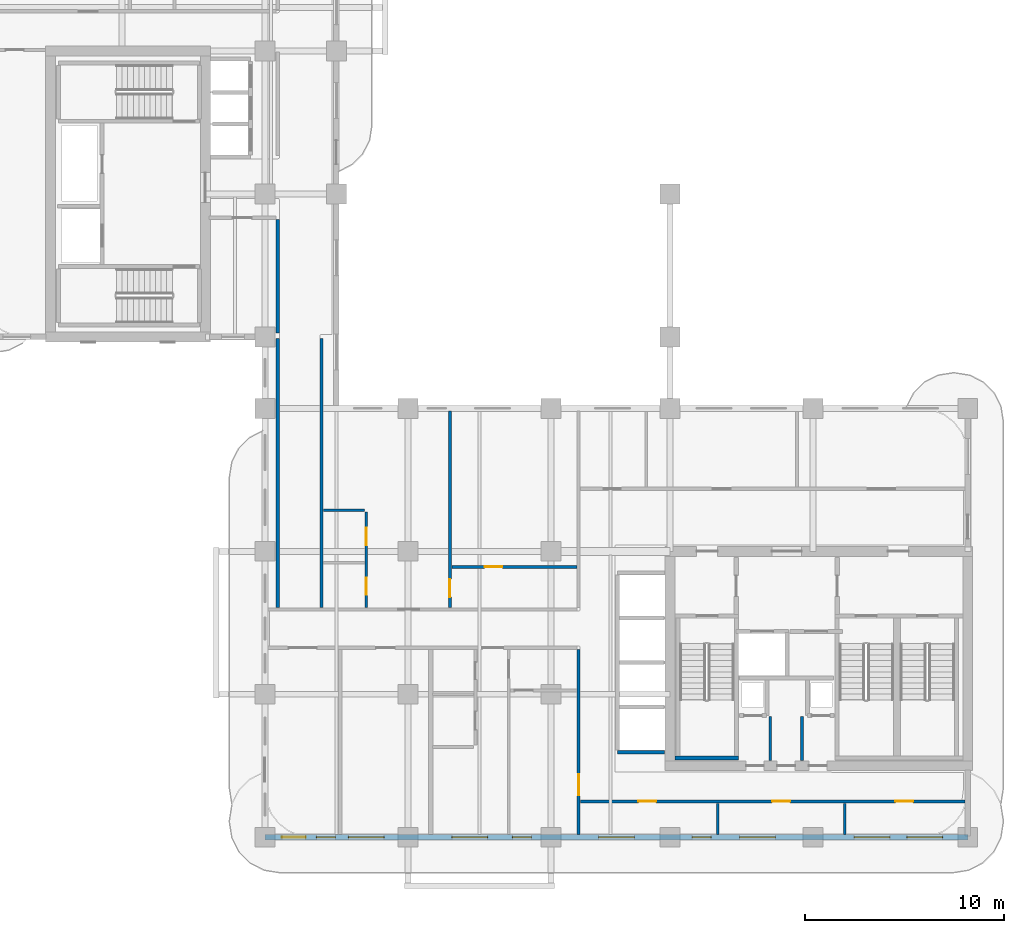
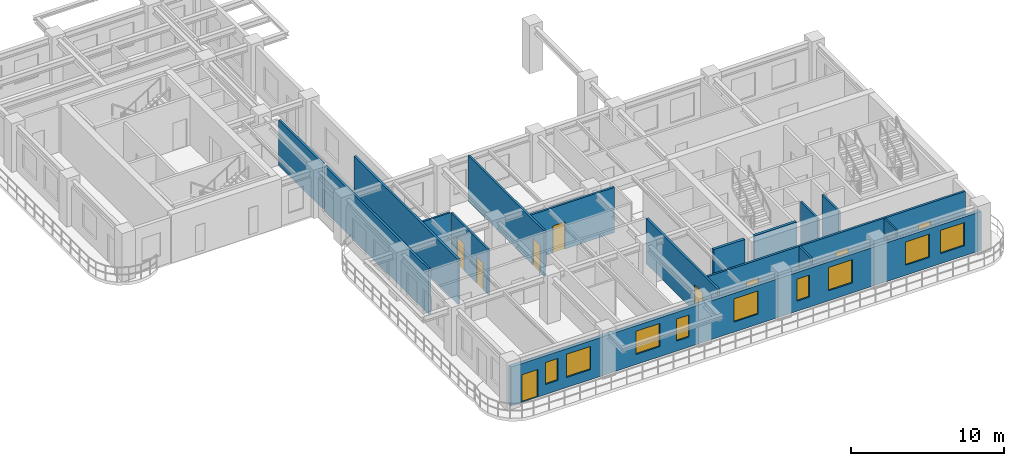
# One storey, part 5 of 14: 16 walls, 9 doors, 9 windows, 18 openings.
"""IFC4 building model written with IfcOpenShell, lengths in metres."""

from ifc_helpers import new_model, si_unit, derived_unit, direction, frame, frame_2d, origin, place, context, subcontext, project, spatial, rectangle, extrude, source, transform, mapped, material, layer, layer_set, type_object, type_shapes, element, fill, save


model = new_model("IFC4")

# Units and contexts
model_context = context("Model", 3, precision=1e-05, world=origin(), true_north=direction((0.0, 1.0)))
body_context = subcontext(model_context, "Body", "Model", "MODEL_VIEW")
ifc_project = project(units=[si_unit("LENGTHUNIT", "METRE"), si_unit("AREAUNIT", "SQUARE_METRE"), si_unit("VOLUMEUNIT", "CUBIC_METRE"), si_unit("PLANEANGLEUNIT", "RADIAN"), si_unit("MASSUNIT", "GRAM", prefix="KILO"), si_unit("THERMODYNAMICTEMPERATUREUNIT", "KELVIN"), si_unit("POWERUNIT", "WATT"), derived_unit("THERMALTRANSMITTANCEUNIT", [(si_unit("POWERUNIT", "WATT"), 1), (si_unit("AREAUNIT", "SQUARE_METRE"), -1), (si_unit("THERMODYNAMICTEMPERATUREUNIT", "KELVIN"), -1)])], contexts=[model_context])

# Site, building, storey
site_placement = place(None, origin())
site = spatial("IfcSite", under=ifc_project, at=site_placement, CompositionType="ELEMENT")
building_placement = place(site_placement, origin())
building = spatial("IfcBuilding", under=site, at=building_placement, Name="Zahravan Archway Hotel and Residences", CompositionType="ELEMENT")
storey_placement = place(building_placement, frame((0.0, 0.0, 188.800048828125)))
storey = spatial("IfcBuildingStorey", under=building, at=storey_placement, Name="L47", CompositionType="ELEMENT", Elevation=188.800048828125)

# Wall, openings, door, windows
ifc_material_1 = material(Name="Honed Red-Ochre Sandstone & Insulated Block", Category="masonry")
ifc_layer_1 = layer(ifc_material_1, 0.280029296875, Name="Honed Red-Ochre Sandstone & Insulated Block", Category="masonry")
ifc_layer_set_1 = layer_set([ifc_layer_1], Name="Honed Red-Ochre Sandstone & Insulated Block")
wall_type_1 = type_object("IfcWallType", Name="EW-LOG-280", PredefinedType="SOLIDWALL", material=ifc_layer_set_1)
wall_1_placement = place(storey_placement, frame((14.39990234375, 0.0, 0.0), z_axis=(0.0, 0.0, 1.0), x_axis=(1.0, 0.0, 0.0)))
wall_1 = element("IfcWall", 1, at=wall_1_placement, inside=storey, type_object=wall_type_1, Name="L47 Exterior Sandstone Wall WA-S", PredefinedType="SOLIDWALL", context=body_context, shape_type="SweptSolid", body=[
    extrude(rectangle(XDim=35.400146484375, YDim=0.280029296875, at=frame_2d((17.7001953125, 0.0))), origin(), (0.0, 0.0, 1.0), 3.0849609375),
])
opening_1_placement = place(wall_1_placement, frame((0.85009765625, 0.0, 0.0)))
opening_1 = element("IfcOpeningElement", 2, at=opening_1_placement, cuts=wall_1, Name="Opening ED-BL1", PredefinedType="OPENING", context=body_context, shape_type="SweptSolid", body=[
    extrude(rectangle(XDim=1.199951171875, YDim=2.199951171875, at=frame_2d((0.60009765625, 1.10009765625))), frame((0.0, 0.14990234375, 0.0), z_axis=(0.0, -1.0, 0.0), x_axis=(1.0, 0.0, 0.0)), (0.0, 0.0, 1.0), 0.300048828125),
])
opening_2_placement = place(wall_1_placement, frame((2.595947265625, 0.0, 0.800048828125)))
opening_2 = element("IfcOpeningElement", 3, at=opening_2_placement, cuts=wall_1, Name="Opening W-04", PredefinedType="OPENING", context=body_context, shape_type="SweptSolid", body=[
    extrude(rectangle(XDim=0.949951171875, YDim=1.75, at=frame_2d((0.47509765625, 0.875))), frame((0.0, 0.14990234375, 0.0), z_axis=(0.0, -1.0, 0.0), x_axis=(1.0, 0.0, 0.0)), (0.0, 0.0, 1.0), 0.300048828125),
])
opening_3_placement = place(wall_1_placement, frame((4.2041015625, 0.0, 0.800048828125)))
opening_3 = element("IfcOpeningElement", 4, at=opening_3_placement, cuts=wall_1, Name="Opening W-02", PredefinedType="OPENING", context=body_context, shape_type="SweptSolid", body=[
    extrude(rectangle(XDim=1.800048828125, YDim=1.85009765625, at=frame_2d((0.89990234375, 0.925048828125))), frame((0.0, 0.14990234375, 0.0), z_axis=(0.0, -1.0, 0.0), x_axis=(1.0, 0.0, 0.0)), (0.0, 0.0, 1.0), 0.300048828125),
])
opening_4_placement = place(wall_1_placement, frame((9.4150390625, 0.0, 0.800048828125)))
opening_4 = element("IfcOpeningElement", 5, at=opening_4_placement, cuts=wall_1, Name="Opening W-02", PredefinedType="OPENING", context=body_context, shape_type="SweptSolid", body=[
    extrude(rectangle(XDim=1.800048828125, YDim=1.85009765625, at=frame_2d((0.89990234375, 0.925048828125))), frame((0.0, 0.14990234375, 0.0), z_axis=(0.0, -1.0, 0.0), x_axis=(1.0, 0.0, 0.0)), (0.0, 0.0, 1.0), 0.300048828125),
])
opening_5_placement = place(wall_1_placement, frame((12.468994140625, 0.0, 0.800048828125)))
opening_5 = element("IfcOpeningElement", 6, at=opening_5_placement, cuts=wall_1, Name="Opening W-04", PredefinedType="OPENING", context=body_context, shape_type="SweptSolid", body=[
    extrude(rectangle(XDim=0.949951171875, YDim=1.75, at=frame_2d((0.47509765625, 0.875))), frame((0.0, 0.14990234375, 0.0), z_axis=(0.0, -1.0, 0.0), x_axis=(1.0, 0.0, 0.0)), (0.0, 0.0, 1.0), 0.300048828125),
])
opening_6_placement = place(wall_1_placement, frame((16.803955078125, 0.0, 0.800048828125)))
opening_6 = element("IfcOpeningElement", 7, at=opening_6_placement, cuts=wall_1, Name="Opening W-02", PredefinedType="OPENING", context=body_context, shape_type="SweptSolid", body=[
    extrude(rectangle(XDim=1.800048828125, YDim=1.85009765625, at=frame_2d((0.89990234375, 0.925048828125))), frame((0.0, 0.14990234375, 0.0), z_axis=(0.0, -1.0, 0.0), x_axis=(1.0, 0.0, 0.0)), (0.0, 0.0, 1.0), 0.300048828125),
])
opening_7_placement = place(wall_1_placement, frame((21.52099609375, 0.0, 0.800048828125)))
opening_7 = element("IfcOpeningElement", 8, at=opening_7_placement, cuts=wall_1, Name="Opening W-04", PredefinedType="OPENING", context=body_context, shape_type="SweptSolid", body=[
    extrude(rectangle(XDim=0.949951171875, YDim=1.75, at=frame_2d((0.47509765625, 0.875))), frame((0.0, 0.14990234375, 0.0), z_axis=(0.0, -1.0, 0.0), x_axis=(1.0, 0.0, 0.0)), (0.0, 0.0, 1.0), 0.300048828125),
])
opening_8_placement = place(wall_1_placement, frame((23.904052734375, 0.0, 0.800048828125)))
opening_8 = element("IfcOpeningElement", 9, at=opening_8_placement, cuts=wall_1, Name="Opening W-02", PredefinedType="OPENING", context=body_context, shape_type="SweptSolid", body=[
    extrude(rectangle(XDim=1.800048828125, YDim=1.85009765625, at=frame_2d((0.89990234375, 0.925048828125))), frame((0.0, 0.14990234375, 0.0), z_axis=(0.0, -1.0, 0.0), x_axis=(1.0, 0.0, 0.0)), (0.0, 0.0, 1.0), 0.300048828125),
])
opening_9_placement = place(wall_1_placement, frame((29.680908203125, 0.0, 0.800048828125)))
opening_9 = element("IfcOpeningElement", 10, at=opening_9_placement, cuts=wall_1, Name="Opening W-02", PredefinedType="OPENING", context=body_context, shape_type="SweptSolid", body=[
    extrude(rectangle(XDim=1.800048828125, YDim=1.85009765625, at=frame_2d((0.89990234375, 0.925048828125))), frame((0.0, 0.14990234375, 0.0), z_axis=(0.0, -1.0, 0.0), x_axis=(1.0, 0.0, 0.0)), (0.0, 0.0, 1.0), 0.300048828125),
])
opening_10_placement = place(wall_1_placement, frame((32.326904296875, 0.0, 0.800048828125)))
opening_10 = element("IfcOpeningElement", 11, at=opening_10_placement, cuts=wall_1, Name="Opening W-02", PredefinedType="OPENING", context=body_context, shape_type="SweptSolid", body=[
    extrude(rectangle(XDim=1.800048828125, YDim=1.85009765625, at=frame_2d((0.89990234375, 0.925048828125))), frame((0.0, 0.14990234375, 0.0), z_axis=(0.0, -1.0, 0.0), x_axis=(1.0, 0.0, 0.0)), (0.0, 0.0, 1.0), 0.300048828125),
])
ifc_material_2 = material(Name="Bronze-Anodized Glazed Aluminium", Category="aluminium")
door_type_1 = type_object("IfcDoorType", Name="ED-BALC-1200", OperationType="SLIDING_TO_LEFT", PredefinedType="DOOR", material=ifc_material_2)
shared_shape_1 = source(origin(), body_context, "Body", "SweptSolid", [
    extrude(rectangle(XDim=1.199951171875, YDim=2.199951171875, at=frame_2d((0.60009765625, 1.10009765625))), frame((0.0, 0.02490234375, 0.0), z_axis=(0.0, -1.0, 0.0), x_axis=(1.0, 0.0, 0.0)), (0.0, 0.0, 1.0), 0.050048828125),
])
type_shapes(door_type_1, [shared_shape_1])
door_1_placement = place(opening_1_placement, origin())
door_1 = element("IfcDoor", 12, at=door_1_placement, inside=storey, type_object=door_type_1, Name="L47 Outdoor Access Sliding Door (SLB-BAL-L47-SA)", OperationType="SLIDING_TO_LEFT", OverallHeight=2.199951171875, OverallWidth=1.199951171875, PredefinedType="DOOR", context=body_context, shape_type="MappedRepresentation", body=[
    mapped(shared_shape_1, transform((0.0, 0.0, 0.0), scale=1.0)),
])
fill(opening_1, door_1)
ifc_material_3 = material(Name="Bronze-Anodized Thermal-Break Aluminium & Low-E Glass", Category="aluminium")
window_type_1 = type_object("IfcWindowType", Name="WIN-NAR-950", PartitioningType="SINGLE_PANEL", PredefinedType="WINDOW", material=ifc_material_3)
shared_shape_2 = source(origin(), body_context, "Body", "SweptSolid", [
    extrude(rectangle(XDim=0.949951171875, YDim=1.75, at=frame_2d((0.47509765625, 0.875))), frame((0.0, 0.030029296875, 0.0), z_axis=(0.0, -1.0, 0.0), x_axis=(1.0, 0.0, 0.0)), (0.0, 0.0, 1.0), 0.06005859375),
])
type_shapes(window_type_1, [shared_shape_2])
window_1_placement = place(opening_2_placement, origin())
window_1 = element("IfcWindow", 13, at=window_1_placement, inside=storey, type_object=window_type_1, Name="L47 Loggia Window 01", OverallHeight=1.75, OverallWidth=0.949951171875, PartitioningType="SINGLE_PANEL", PredefinedType="WINDOW", context=body_context, shape_type="MappedRepresentation", body=[
    mapped(shared_shape_2, transform((0.0, 0.0, 0.0), scale=1.0)),
])
fill(opening_2, window_1)
window_2_placement = place(opening_5_placement, origin())
window_2 = element("IfcWindow", 14, at=window_2_placement, inside=storey, type_object=window_type_1, Name="L47 Loggia Window 04", OverallHeight=1.75, OverallWidth=0.949951171875, PartitioningType="SINGLE_PANEL", PredefinedType="WINDOW", context=body_context, shape_type="MappedRepresentation", body=[
    mapped(shared_shape_2, transform((0.0, 0.0, 0.0), scale=1.0)),
])
fill(opening_5, window_2)
window_3_placement = place(opening_7_placement, origin())
window_3 = element("IfcWindow", 15, at=window_3_placement, inside=storey, type_object=window_type_1, Name="L47 Loggia Window 06", OverallHeight=1.75, OverallWidth=0.949951171875, PartitioningType="SINGLE_PANEL", PredefinedType="WINDOW", context=body_context, shape_type="MappedRepresentation", body=[
    mapped(shared_shape_2, transform((0.0, 0.0, 0.0), scale=1.0)),
])
fill(opening_7, window_3)
window_type_2 = type_object("IfcWindowType", Name="WIN-TWR-1800", PartitioningType="DOUBLE_PANEL_VERTICAL", PredefinedType="WINDOW", material=ifc_material_3)
shared_shape_3 = source(origin(), body_context, "Body", "SweptSolid", [
    extrude(rectangle(XDim=1.800048828125, YDim=1.85009765625, at=frame_2d((0.89990234375, 0.925048828125))), frame((0.0, 0.030029296875, 0.0), z_axis=(0.0, -1.0, 0.0), x_axis=(1.0, 0.0, 0.0)), (0.0, 0.0, 1.0), 0.06005859375),
])
type_shapes(window_type_2, [shared_shape_3])
window_4_placement = place(opening_3_placement, origin())
window_4 = element("IfcWindow", 16, at=window_4_placement, inside=storey, type_object=window_type_2, Name="L47 Loggia Window 02", OverallHeight=1.85009765625, OverallWidth=1.800048828125, PartitioningType="DOUBLE_PANEL_VERTICAL", PredefinedType="WINDOW", context=body_context, shape_type="MappedRepresentation", body=[
    mapped(shared_shape_3, transform((0.0, 0.0, 0.0), scale=1.0)),
])
fill(opening_3, window_4)
window_5_placement = place(opening_4_placement, origin())
window_5 = element("IfcWindow", 17, at=window_5_placement, inside=storey, type_object=window_type_2, Name="L47 Loggia Window 03", OverallHeight=1.85009765625, OverallWidth=1.800048828125, PartitioningType="DOUBLE_PANEL_VERTICAL", PredefinedType="WINDOW", context=body_context, shape_type="MappedRepresentation", body=[
    mapped(shared_shape_3, transform((0.0, 0.0, 0.0), scale=1.0)),
])
fill(opening_4, window_5)
window_6_placement = place(opening_6_placement, origin())
window_6 = element("IfcWindow", 18, at=window_6_placement, inside=storey, type_object=window_type_2, Name="L47 Loggia Window 05", OverallHeight=1.85009765625, OverallWidth=1.800048828125, PartitioningType="DOUBLE_PANEL_VERTICAL", PredefinedType="WINDOW", context=body_context, shape_type="MappedRepresentation", body=[
    mapped(shared_shape_3, transform((0.0, 0.0, 0.0), scale=1.0)),
])
fill(opening_6, window_6)
window_7_placement = place(opening_8_placement, origin())
window_7 = element("IfcWindow", 19, at=window_7_placement, inside=storey, type_object=window_type_2, Name="L47 Loggia Window 07", OverallHeight=1.85009765625, OverallWidth=1.800048828125, PartitioningType="DOUBLE_PANEL_VERTICAL", PredefinedType="WINDOW", context=body_context, shape_type="MappedRepresentation", body=[
    mapped(shared_shape_3, transform((0.0, 0.0, 0.0), scale=1.0)),
])
fill(opening_8, window_7)
window_8_placement = place(opening_9_placement, origin())
window_8 = element("IfcWindow", 20, at=window_8_placement, inside=storey, type_object=window_type_2, Name="L47 Loggia Window 08", OverallHeight=1.85009765625, OverallWidth=1.800048828125, PartitioningType="DOUBLE_PANEL_VERTICAL", PredefinedType="WINDOW", context=body_context, shape_type="MappedRepresentation", body=[
    mapped(shared_shape_3, transform((0.0, 0.0, 0.0), scale=1.0)),
])
fill(opening_9, window_8)
window_9_placement = place(opening_10_placement, origin())
window_9 = element("IfcWindow", 21, at=window_9_placement, inside=storey, type_object=window_type_2, Name="L47 Loggia Window 09", OverallHeight=1.85009765625, OverallWidth=1.800048828125, PartitioningType="DOUBLE_PANEL_VERTICAL", PredefinedType="WINDOW", context=body_context, shape_type="MappedRepresentation", body=[
    mapped(shared_shape_3, transform((0.0, 0.0, 0.0), scale=1.0)),
])
fill(opening_10, window_9)

# Wall, opening, door
ifc_material_4 = material(Name="Fire-Rated Gypsum & Concrete Block", Category="concrete")
ifc_layer_2 = layer(ifc_material_4, 0.159912109375, Name="Fire-Rated Gypsum & Concrete Block", Category="concrete")
ifc_layer_set_2 = layer_set([ifc_layer_2], Name="Fire-Rated Gypsum & Concrete Block")
wall_type_2 = type_object("IfcWallType", Name="PW-CORR-160", PredefinedType="PARTITIONING", material=ifc_layer_set_2)
wall_2_placement = place(storey_placement, frame((30.199951171875, 0.14794921875, 0.0), z_axis=(0.0, 0.0, 1.0), x_axis=(0.0, 1.0, 0.0)))
wall_2 = element("IfcWall", 22, at=wall_2_placement, inside=storey, type_object=wall_type_2, Name="L47 Partition WA-SRW", PredefinedType="PARTITIONING", context=body_context, shape_type="SweptSolid", body=[
    extrude(rectangle(XDim=9.31201171875, YDim=0.159912109375, at=frame_2d((4.656005859375, 0.0))), origin(), (0.0, 0.0, 1.0), 3.599853515625),
])
opening_11_placement = place(wall_2_placement, frame((1.97705078125, 0.0, 0.0)))
opening_11 = element("IfcOpeningElement", 23, at=opening_11_placement, cuts=wall_2, Name="Opening FD-L2", PredefinedType="OPENING", context=body_context, shape_type="SweptSolid", body=[
    extrude(rectangle(XDim=1.050048828125, YDim=2.14990234375, at=frame_2d((0.52490234375, 1.074951171875))), frame((0.0, 0.08984375, 0.0), z_axis=(0.0, -1.0, 0.0), x_axis=(1.0, 0.0, 0.0)), (0.0, 0.0, 1.0), 0.179931640625),
])
ifc_material_5 = material(Name="Fire-Rated Painted Steel", Category="steel")
door_type_2 = type_object("IfcDoorType", Name="FD-LOBBY-1100", OperationType="NOTDEFINED", PredefinedType="DOOR", material=ifc_material_5)
shared_shape_4 = source(origin(), body_context, "Body", "SweptSolid", [
    extrude(rectangle(XDim=1.050048828125, YDim=2.14990234375, at=frame_2d((0.52490234375, 1.074951171875))), frame((0.0, 0.02490234375, 0.0), z_axis=(0.0, -1.0, 0.0), x_axis=(1.0, 0.0, 0.0)), (0.0, 0.0, 1.0), 0.050048828125),
])
type_shapes(door_type_2, [shared_shape_4])
door_2_placement = place(opening_11_placement, origin())
door_2 = element("IfcDoor", 24, at=door_2_placement, inside=storey, type_object=door_type_2, Name="L47 South Riser Corridor Door", OperationType="SINGLE_SWING_RIGHT", OverallHeight=2.14990234375, OverallWidth=1.050048828125, PredefinedType="DOOR", context=body_context, shape_type="MappedRepresentation", body=[
    mapped(shared_shape_4, transform((0.0, 0.0, 0.0), scale=1.0)),
])
fill(opening_11, door_2)

# Wall, openings, doors
wall_3_placement = place(storey_placement, frame((30.2900390625, 1.800048828125, 0.0), z_axis=(0.0, 0.0, 1.0), x_axis=(1.0, 0.0, 0.0)))
wall_3 = element("IfcWall", 25, at=wall_3_placement, inside=storey, type_object=wall_type_2, Name="L47 Partition WA-SRS", PredefinedType="PARTITIONING", context=body_context, shape_type="SweptSolid", body=[
    extrude(rectangle(XDim=19.369873046875, YDim=0.159912109375, at=frame_2d((9.68505859375, 0.0))), origin(), (0.0, 0.0, 1.0), 3.599853515625),
])
opening_12_placement = place(wall_3_placement, frame((2.916259765625, 0.0, 0.0)))
opening_12 = element("IfcOpeningElement", 26, at=opening_12_placement, cuts=wall_3, Name="Opening D-I2", PredefinedType="OPENING", context=body_context, shape_type="SweptSolid", body=[
    extrude(rectangle(XDim=0.89990234375, YDim=2.14990234375, at=frame_2d((0.449951171875, 1.074951171875))), frame((0.0, 0.08984375, 0.0), z_axis=(0.0, -1.0, 0.0), x_axis=(1.0, 0.0, 0.0)), (0.0, 0.0, 1.0), 0.179931640625),
])
opening_13_placement = place(wall_3_placement, frame((9.659912109375, 0.0, 0.0)))
opening_13 = element("IfcOpeningElement", 27, at=opening_13_placement, cuts=wall_3, Name="Opening D-I2", PredefinedType="OPENING", context=body_context, shape_type="SweptSolid", body=[
    extrude(rectangle(XDim=0.89990234375, YDim=2.14990234375, at=frame_2d((0.449951171875, 1.074951171875))), frame((0.0, 0.08984375, 0.0), z_axis=(0.0, -1.0, 0.0), x_axis=(1.0, 0.0, 0.0)), (0.0, 0.0, 1.0), 0.179931640625),
])
opening_14_placement = place(wall_3_placement, frame((15.860107421875, 0.0, 0.0)))
opening_14 = element("IfcOpeningElement", 28, at=opening_14_placement, cuts=wall_3, Name="Opening D-I2", PredefinedType="OPENING", context=body_context, shape_type="SweptSolid", body=[
    extrude(rectangle(XDim=0.89990234375, YDim=2.14990234375, at=frame_2d((0.449951171875, 1.074951171875))), frame((0.0, 0.08984375, 0.0), z_axis=(0.0, -1.0, 0.0), x_axis=(1.0, 0.0, 0.0)), (0.0, 0.0, 1.0), 0.179931640625),
])
ifc_material_6 = material(Name="Hardwood Veneer Timber", Category="wood")
door_type_3 = type_object("IfcDoorType", Name="ID-INT-900", OperationType="NOTDEFINED", PredefinedType="DOOR", material=ifc_material_6)
shared_shape_5 = source(origin(), body_context, "Body", "SweptSolid", [
    extrude(rectangle(XDim=0.89990234375, YDim=2.14990234375, at=frame_2d((0.449951171875, 1.074951171875))), frame((0.0, 0.02490234375, 0.0), z_axis=(0.0, -1.0, 0.0), x_axis=(1.0, 0.0, 0.0)), (0.0, 0.0, 1.0), 0.050048828125),
])
type_shapes(door_type_3, [shared_shape_5])
door_3_placement = place(opening_12_placement, origin())
door_3 = element("IfcDoor", 29, at=door_3_placement, inside=storey, type_object=door_type_3, Name="L47 South Office Door", OperationType="SINGLE_SWING_LEFT", OverallHeight=2.14990234375, OverallWidth=0.89990234375, PredefinedType="DOOR", context=body_context, shape_type="MappedRepresentation", body=[
    mapped(shared_shape_5, transform((0.0, 0.0, 0.0), scale=1.0)),
])
fill(opening_12, door_3)
door_4_placement = place(opening_13_placement, origin())
door_4 = element("IfcDoor", 30, at=door_4_placement, inside=storey, type_object=door_type_3, Name="L47 South Meeting Door", OperationType="SINGLE_SWING_RIGHT", OverallHeight=2.14990234375, OverallWidth=0.89990234375, PredefinedType="DOOR", context=body_context, shape_type="MappedRepresentation", body=[
    mapped(shared_shape_5, transform((0.0, 0.0, 0.0), scale=1.0)),
])
fill(opening_13, door_4)
door_5_placement = place(opening_14_placement, origin())
door_5 = element("IfcDoor", 31, at=door_5_placement, inside=storey, type_object=door_type_3, Name="L47 South Prayer Alcove Door", OperationType="SINGLE_SWING_LEFT", OverallHeight=2.14990234375, OverallWidth=0.89990234375, PredefinedType="DOOR", context=body_context, shape_type="MappedRepresentation", body=[
    mapped(shared_shape_5, transform((0.0, 0.0, 0.0), scale=1.0)),
])
fill(opening_14, door_5)

# Walls
for number, where, z_axis, x_axis, name in (
    (32, (15.050048828125, 11.56005859375, 0.0), (0.0, 0.0, 1.0), (0.0, 1.0, 0.0), "L47 Partition LNK-W"),
    (33, (17.25, 11.56005859375, 0.0), (0.0, 0.0, 1.0), (0.0, 1.0, 0.0), "L47 Partition LNK-E"),
):
    element("IfcWall", number, at=place(storey_placement, frame(where, z_axis=z_axis, x_axis=x_axis)), inside=storey, type_object=wall_type_2, Name=name, PredefinedType="PARTITIONING", context=body_context, shape_type="SweptSolid", body=[
        extrude(rectangle(XDim=13.550048828125, YDim=0.159912109375, at=frame_2d((6.77490234375, 0.0))), origin(), (0.0, 0.0, 1.0), 3.599853515625),
    ])
wall_4_placement = place(storey_placement, frame((15.050048828125, 25.389892578125, 0.0), z_axis=(0.0, 0.0, 1.0), x_axis=(0.0, 1.0, 0.0)))
element("IfcWall", 34, at=wall_4_placement, inside=storey, type_object=wall_type_2, Name="L47 Partition FB1-E", PredefinedType="PARTITIONING", context=body_context, shape_type="SweptSolid", body=[
    extrude(rectangle(XDim=5.72021484375, YDim=0.159912109375, at=frame_2d((2.860107421875, 0.0))), origin(), (0.0, 0.0, 1.0), 3.599853515625),
])
ifc_material_7 = material(Name="Acoustic Stud Partition")
ifc_layer_3 = layer(ifc_material_7, 0.125, Name="Acoustic Stud Partition")
ifc_layer_set_3 = layer_set([ifc_layer_3], Name="Acoustic Stud Partition")
wall_type_3 = type_object("IfcWallType", Name="PW-INT-125", PredefinedType="PARTITIONING", material=ifc_layer_set_3)
for number, where, z_axis, x_axis, name in (
    (35, (37.199951171875, 0.14794921875, 0.0), (0.0, 0.0, 1.0), (0.0, 1.0, 0.0), "L47 Partition S-DIV2A"),
    (36, (43.60009765625, 0.14794921875, 0.0), (0.0, 0.0, 1.0), (0.0, 1.0, 0.0), "L47 Partition S-DIV2B"),
):
    element("IfcWall", number, at=place(storey_placement, frame(where, z_axis=z_axis, x_axis=x_axis)), inside=storey, type_object=wall_type_3, Name=name, PredefinedType="PARTITIONING", context=body_context, shape_type="SweptSolid", body=[
        extrude(rectangle(XDim=1.56201171875, YDim=0.125, at=frame_2d((0.781005859375, 0.0))), origin(), (0.0, 0.0, 1.0), 3.599853515625),
    ])
ifc_layer_4 = layer(ifc_material_4, 0.199951171875, Name="Fire-Rated Gypsum & Concrete Block", Category="concrete")
ifc_layer_set_4 = layer_set([ifc_layer_4], Name="Fire-Rated Gypsum & Concrete Block")
wall_type_4 = type_object("IfcWallType", Name="PW-SHAFT-200", PredefinedType="PARTITIONING", material=ifc_layer_set_4)
wall_5_placement = place(storey_placement, frame((32.159912109375, 4.280029296875, 0.0), z_axis=(0.0, 0.0, 1.0), x_axis=(1.0, 0.0, 0.0)))
element("IfcWall", 37, at=wall_5_placement, inside=storey, type_object=wall_type_4, Name="L47 Partition B3-S", PredefinedType="PARTITIONING", context=body_context, shape_type="SweptSolid", body=[
    extrude(rectangle(XDim=2.360107421875, YDim=0.199951171875, at=frame_2d((1.18017578125, 0.0))), origin(), (0.0, 0.0, 1.0), 3.599853515625),
])

# Wall, opening, door
ifc_layer_5 = layer(ifc_material_7, 0.14990234375, Name="Acoustic Stud Partition")
ifc_layer_set_5 = layer_set([ifc_layer_5], Name="Acoustic Stud Partition")
wall_type_5 = type_object("IfcWallType", Name="PW-UNIT-150", PredefinedType="PARTITIONING", material=ifc_layer_set_5)
wall_6_placement = place(storey_placement, frame((23.719970703125, 11.56005859375, 0.0), z_axis=(0.0, 0.0, 1.0), x_axis=(0.0, 1.0, 0.0)))
wall_6 = element("IfcWall", 38, at=wall_6_placement, inside=storey, type_object=wall_type_5, Name="L47 Partition FL-HN1-SP", PredefinedType="PARTITIONING", context=body_context, shape_type="SweptSolid", body=[
    extrude(rectangle(XDim=9.89990234375, YDim=0.14990234375, at=frame_2d((4.949951171875, 0.0))), origin(), (0.0, 0.0, 1.0), 3.599853515625),
])
opening_15_placement = place(wall_6_placement, frame((0.534912109375, 0.0, 0.0)))
opening_15 = element("IfcOpeningElement", 39, at=opening_15_placement, cuts=wall_6, Name="Opening D-I2", PredefinedType="OPENING", context=body_context, shape_type="SweptSolid", body=[
    extrude(rectangle(XDim=0.89990234375, YDim=2.14990234375, at=frame_2d((0.449951171875, 1.074951171875))), frame((0.0, 0.0849609375, 0.0), z_axis=(0.0, -1.0, 0.0), x_axis=(1.0, 0.0, 0.0)), (0.0, 0.0, 1.0), 0.169921875),
])
door_6_placement = place(opening_15_placement, origin())
door_6 = element("IfcDoor", 40, at=door_6_placement, inside=storey, type_object=door_type_3, Name="L47 Flat HN1 Bedroom Hall Door", OperationType="SINGLE_SWING_RIGHT", OverallHeight=2.14990234375, OverallWidth=0.89990234375, PredefinedType="DOOR", context=body_context, shape_type="MappedRepresentation", body=[
    mapped(shared_shape_5, transform((0.0, 0.0, 0.0), scale=1.0)),
])
fill(opening_15, door_6)

wall_7_placement = place(storey_placement, frame((23.81005859375, 13.6201171875, 0.0), z_axis=(0.0, 0.0, 1.0), x_axis=(1.0, 0.0, 0.0)))
wall_7 = element("IfcWall", 41, at=wall_7_placement, inside=storey, type_object=wall_type_5, Name="L47 Partition FL-HN1-GH", PredefinedType="PARTITIONING", context=body_context, shape_type="SweptSolid", body=[
    extrude(rectangle(XDim=6.300048828125, YDim=0.14990234375, at=frame_2d((3.14990234375, 0.0))), origin(), (0.0, 0.0, 1.0), 3.599853515625),
])
opening_16_placement = place(wall_7_placement, frame((1.64990234375, 0.0, 0.0)))
opening_16 = element("IfcOpeningElement", 42, at=opening_16_placement, cuts=wall_7, Name="Opening D-I2", PredefinedType="OPENING", context=body_context, shape_type="SweptSolid", body=[
    extrude(rectangle(XDim=0.89990234375, YDim=2.14990234375, at=frame_2d((0.449951171875, 1.074951171875))), frame((0.0, 0.0849609375, 0.0), z_axis=(0.0, -1.0, 0.0), x_axis=(1.0, 0.0, 0.0)), (0.0, 0.0, 1.0), 0.169921875),
])
door_7_placement = place(opening_16_placement, origin())
door_7 = element("IfcDoor", 43, at=door_7_placement, inside=storey, type_object=door_type_3, Name="L47 Flat HN1 Bedroom 1 Door", OperationType="SINGLE_SWING_LEFT", OverallHeight=2.14990234375, OverallWidth=0.89990234375, PredefinedType="DOOR", context=body_context, shape_type="MappedRepresentation", body=[
    mapped(shared_shape_5, transform((0.0, 0.0, 0.0), scale=1.0)),
])
fill(opening_16, door_7)

# Walls
ifc_material_8 = material(Name="Moisture-Resistant Blockwork", Category="masonry")
ifc_layer_6 = layer(ifc_material_8, 0.139892578125, Name="Moisture-Resistant Blockwork", Category="masonry")
ifc_layer_set_6 = layer_set([ifc_layer_6], Name="Moisture-Resistant Blockwork")
wall_type_6 = type_object("IfcWallType", Name="PW-WET-140", PredefinedType="PARTITIONING", material=ifc_layer_set_6)
for number, where, z_axis, x_axis, name in (
    (44, (39.85009765625, 3.8701171875, 0.0), (0.0, 0.0, 1.0), (0.0, 1.0, 0.0), "L47 Partition CA-CV1A"),
    (45, (41.449951171875, 3.8701171875, 0.0), (0.0, 0.0, 1.0), (0.0, 1.0, 0.0), "L47 Partition CA-CV1B"),
):
    element("IfcWall", number, at=place(storey_placement, frame(where, z_axis=z_axis, x_axis=x_axis)), inside=storey, type_object=wall_type_6, Name=name, PredefinedType="PARTITIONING", context=body_context, shape_type="SweptSolid", body=[
        extrude(rectangle(XDim=2.2099609375, YDim=0.139892578125, at=frame_2d((1.10498046875, 0.0))), origin(), (0.0, 0.0, 1.0), 3.599853515625),
    ])

# Wall, openings, doors
wall_8_placement = place(storey_placement, frame((19.5, 11.56005859375, 0.0), z_axis=(0.0, 0.0, 1.0), x_axis=(0.0, 1.0, 0.0)))
wall_8 = element("IfcWall", 46, at=wall_8_placement, inside=storey, type_object=wall_type_6, Name="L47 Partition FL-HN1-BV", PredefinedType="PARTITIONING", context=body_context, shape_type="SweptSolid", body=[
    extrude(rectangle(XDim=4.81982421875, YDim=0.139892578125, at=frame_2d((2.409912109375, 0.0))), origin(), (0.0, 0.0, 1.0), 3.599853515625),
])
opening_17_placement = place(wall_8_placement, frame((0.659912109375, 0.0, 0.0)))
opening_17 = element("IfcOpeningElement", 47, at=opening_17_placement, cuts=wall_8, Name="Opening D-B1", PredefinedType="OPENING", context=body_context, shape_type="SweptSolid", body=[
    extrude(rectangle(XDim=0.85009765625, YDim=2.10009765625, at=frame_2d((0.425048828125, 1.050048828125))), frame((0.0, 0.080078125, 0.0), z_axis=(0.0, -1.0, 0.0), x_axis=(1.0, 0.0, 0.0)), (0.0, 0.0, 1.0), 0.159912109375),
])
opening_18_placement = place(wall_8_placement, frame((3.135009765625, 0.0, 0.0)))
opening_18 = element("IfcOpeningElement", 48, at=opening_18_placement, cuts=wall_8, Name="Opening D-I2", PredefinedType="OPENING", context=body_context, shape_type="SweptSolid", body=[
    extrude(rectangle(XDim=0.89990234375, YDim=2.14990234375, at=frame_2d((0.449951171875, 1.074951171875))), frame((0.0, 0.080078125, 0.0), z_axis=(0.0, -1.0, 0.0), x_axis=(1.0, 0.0, 0.0)), (0.0, 0.0, 1.0), 0.159912109375),
])
door_type_4 = type_object("IfcDoorType", Name="ID-BATH-850", OperationType="NOTDEFINED", PredefinedType="DOOR", material=ifc_material_6)
shared_shape_6 = source(origin(), body_context, "Body", "SweptSolid", [
    extrude(rectangle(XDim=0.85009765625, YDim=2.10009765625, at=frame_2d((0.425048828125, 1.050048828125))), frame((0.0, 0.02490234375, 0.0), z_axis=(0.0, -1.0, 0.0), x_axis=(1.0, 0.0, 0.0)), (0.0, 0.0, 1.0), 0.050048828125),
])
type_shapes(door_type_4, [shared_shape_6])
door_8_placement = place(opening_17_placement, origin())
door_8 = element("IfcDoor", 49, at=door_8_placement, inside=storey, type_object=door_type_4, Name="L47 Flat HN1 Bathroom Door", OperationType="SINGLE_SWING_LEFT", OverallHeight=2.10009765625, OverallWidth=0.85009765625, PredefinedType="DOOR", context=body_context, shape_type="MappedRepresentation", body=[
    mapped(shared_shape_6, transform((0.0, 0.0, 0.0), scale=1.0)),
])
fill(opening_17, door_8)
door_9_placement = place(opening_18_placement, origin())
door_9 = element("IfcDoor", 50, at=door_9_placement, inside=storey, type_object=door_type_3, Name="L47 Flat HN1 Kitchen Door", OperationType="SINGLE_SWING_RIGHT", OverallHeight=2.14990234375, OverallWidth=0.89990234375, PredefinedType="DOOR", context=body_context, shape_type="MappedRepresentation", body=[
    mapped(shared_shape_5, transform((0.0, 0.0, 0.0), scale=1.0)),
])
fill(opening_18, door_9)

# Walls
wall_9_placement = place(storey_placement, frame((17.340087890625, 16.469970703125, 0.0), z_axis=(0.0, 0.0, 1.0), x_axis=(1.0, 0.0, 0.0)))
element("IfcWall", 51, at=wall_9_placement, inside=storey, type_object=wall_type_6, Name="L47 Partition FL-HN1-KH", PredefinedType="PARTITIONING", context=body_context, shape_type="SweptSolid", body=[
    extrude(rectangle(XDim=2.06982421875, YDim=0.139892578125, at=frame_2d((1.034912109375, 0.0))), origin(), (0.0, 0.0, 1.0), 3.599853515625),
])
ifc_material_9 = material(Name="Concrete C50/60", Category="concrete")
ifc_layer_7 = layer(ifc_material_9, 0.199951171875, Name="Concrete C50/60", Category="concrete")
ifc_layer_set_7 = layer_set([ifc_layer_7], Name="Concrete C50/60")
wall_type_7 = type_object("IfcWallType", Name="SW-STAIR-200", PredefinedType="SHEAR", material=ifc_layer_set_7)
wall_10_placement = place(storey_placement, frame((35.050048828125, 4.0, 0.0), z_axis=(0.0, 0.0, 1.0), x_axis=(1.0, 0.0, 0.0)))
element("IfcWall", 52, at=wall_10_placement, inside=storey, type_object=wall_type_7, Name="L47 Stairwell RC Wall CA-SA1S", PredefinedType="SHEAR", context=body_context, shape_type="SweptSolid", body=[
    extrude(rectangle(XDim=3.18994140625, YDim=0.199951171875, at=frame_2d((1.594970703125, 0.0))), origin(), (0.0, 0.0, 1.0), 3.849853515625),
])

save(model, "model.ifc")
